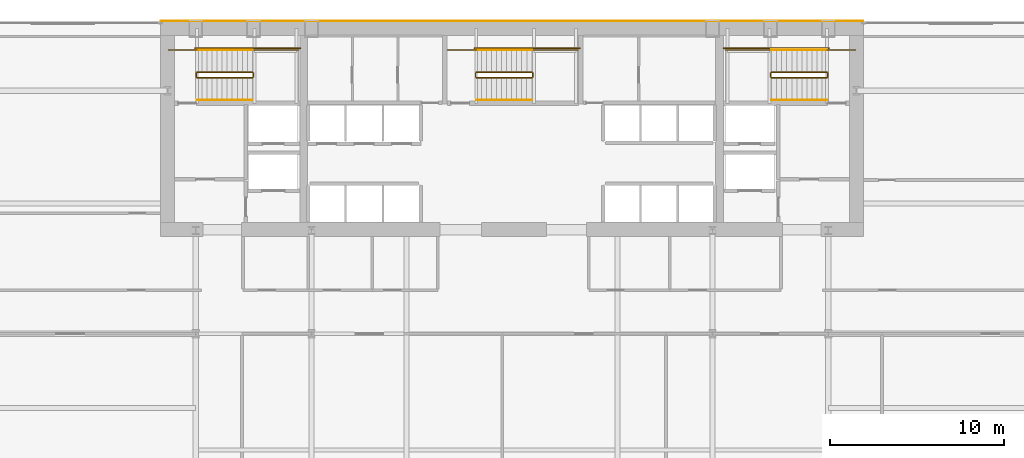
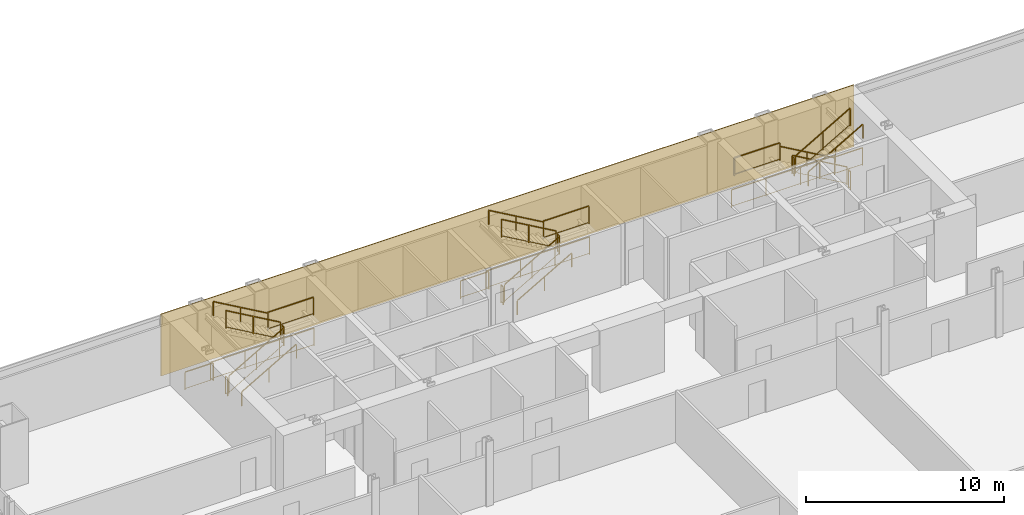
# One storey, part 32 of 32: 27 railings, 1 covering.
"""IFC4 building model written with IfcOpenShell, lengths in metres."""

from ifc_helpers import new_model, si_unit, direction, frame, origin, origin_2d, place, context, subcontext, project, spatial, polyline, rectangle, outline, extrude, material, layer, layer_set, type_object, element, save


model = new_model("IFC4")

# Units and contexts
model_context = context("Model", 3, precision=1e-05, world=origin(), true_north=direction((0.0, 1.0)))
body_context = subcontext(model_context, "Body", "Model", "MODEL_VIEW")
ifc_project = project(units=[si_unit("LENGTHUNIT", "METRE"), si_unit("AREAUNIT", "SQUARE_METRE"), si_unit("VOLUMEUNIT", "CUBIC_METRE"), si_unit("PLANEANGLEUNIT", "RADIAN"), si_unit("MASSUNIT", "GRAM", prefix="KILO")], contexts=[model_context])

# Site, building, storey
site_placement = place(None, origin())
site = spatial("IfcSite", under=ifc_project, at=site_placement, CompositionType="ELEMENT")
building_placement = place(site_placement, origin())
building = spatial("IfcBuilding", under=site, at=building_placement, Name="Khoronbel Lancet Exchange", CompositionType="ELEMENT")
storey_placement = place(building_placement, frame((0.0, 0.0, 41.800048828125)))
storey = spatial("IfcBuildingStorey", under=building, at=storey_placement, Name="L09", CompositionType="ELEMENT", Elevation=41.800048828125)

# Covering
ifc_material_1 = material(Name="Honed Egyptian Limestone & Bronze Rainscreen", Category="masonry")
ifc_layer = layer(ifc_material_1, 0.050048828125, Name="Honed Egyptian Limestone & Bronze Rainscreen")
ifc_layer_set = layer_set([ifc_layer], Name="Honed Egyptian Limestone & Bronze Rainscreen")
covering_type = type_object("IfcCoveringType", Name="COV-CLAD1", PredefinedType="CLADDING", material=ifc_layer_set)
covering_placement = place(storey_placement, origin())
element("IfcCovering", 1, at=covering_placement, inside=storey, type_object=covering_type, Name="Level L09 north rear-core stone and bronze rainscreen cladding", PredefinedType="CLADDING", context=body_context, shape_type="SweptSolid", body=[
    extrude(outline(polyline([(16.199951171875, 53.699951171875), (56.699951171875, 53.699951171875), (56.699951171875, 53.75), (16.199951171875, 53.75), (16.199951171875, 53.699951171875)])), origin(), (0.0, 0.0, 1.0), 3.820068359375),
])

# Railings
ifc_material_2 = material(Name="Painted Steel Balustrade", Category="steel")
railing_type_1 = type_object("IfcRailingType", Name="RL-STG110", PredefinedType="GUARDRAIL", material=ifc_material_2)
railing_1_placement = place(storey_placement, frame((18.300048828125, 50.449951171875, 0.16650390625)))
element("IfcRailing", 2, at=railing_1_placement, inside=storey, type_object=railing_type_1, Name="L09 ST1 stair guard 1", PredefinedType="GUARDRAIL", context=body_context, shape_type="SweptSolid", body=[
    extrude(rectangle(XDim=0.048095703125, YDim=0.048095703125, at=origin_2d()), frame((0.0, 0.0, 1.09619140625), z_axis=(0.86699087805, 0.0, 0.498324008431), x_axis=(0.0, 1.0, 0.0)), (0.0, 0.0, 1.0), 3.679443359375),
    extrude(rectangle(XDim=0.02392578125, YDim=0.02392578125, at=origin_2d()), frame((0.0, 0.0, 0.080078125), z_axis=(0.86699087805, 0.0, 0.498324008431), x_axis=(0.0, 1.0, 0.0)), (0.0, 0.0, 1.0), 3.679443359375),
    extrude(rectangle(XDim=0.0419921875, YDim=0.0419921875, at=origin_2d()), origin(), (0.0, 0.0, 1.0), 1.072021484375),
    extrude(rectangle(XDim=0.0419921875, YDim=0.0419921875, at=origin_2d()), frame((1.594970703125, 0.0, 0.916748046875)), (0.0, 0.0, 1.0), 1.072021484375),
    extrude(rectangle(XDim=0.0419921875, YDim=0.0419921875, at=origin_2d()), frame((3.18994140625, 0.0, 1.83349609375)), (0.0, 0.0, 1.0), 1.072021484375),
])
railing_2_placement = place(storey_placement, frame((21.5400390625, 50.5, 2.0)))
element("IfcRailing", 3, at=railing_2_placement, inside=storey, type_object=railing_type_1, Name="L09 ST1 stair guard 2", PredefinedType="GUARDRAIL", context=body_context, shape_type="SweptSolid", body=[
    extrude(rectangle(XDim=0.048095703125, YDim=0.048095703125, at=origin_2d()), frame((0.0, 0.0, 1.09619140625), z_axis=(0.0, 1.0, 0.0), x_axis=(-1.0, 0.0, 0.0)), (0.0, 0.0, 1.0), 0.219970703125),
    extrude(rectangle(XDim=0.02392578125, YDim=0.02392578125, at=origin_2d()), frame((0.0, 0.0, 0.080078125), z_axis=(0.0, 1.0, 0.0), x_axis=(-1.0, 0.0, 0.0)), (0.0, 0.0, 1.0), 0.219970703125),
    extrude(rectangle(XDim=0.0419921875, YDim=0.0419921875, at=origin_2d()), origin(), (0.0, 0.0, 1.0), 1.072021484375),
    extrude(rectangle(XDim=0.0419921875, YDim=0.0419921875, at=origin_2d()), frame((0.0, 0.219970703125, 0.0)), (0.0, 0.0, 1.0), 1.072021484375),
])
railing_3_placement = place(storey_placement, frame((21.489990234375, 52.050048828125, 2.0)))
element("IfcRailing", 4, at=railing_3_placement, inside=storey, type_object=railing_type_1, Name="L09 ST1 stair guard 3", PredefinedType="GUARDRAIL", context=body_context, shape_type="SweptSolid", body=[
    extrude(rectangle(XDim=0.048095703125, YDim=0.048095703125, at=origin_2d()), frame((0.0, 0.0, 1.09619140625), z_axis=(1.0, 0.0, 0.0), x_axis=(0.0, 1.0, 0.0)), (0.0, 0.0, 1.0), 2.659912109375),
    extrude(rectangle(XDim=0.02392578125, YDim=0.02392578125, at=origin_2d()), frame((0.0, 0.0, 0.080078125), z_axis=(1.0, 0.0, 0.0), x_axis=(0.0, 1.0, 0.0)), (0.0, 0.0, 1.0), 2.659912109375),
    extrude(rectangle(XDim=0.0419921875, YDim=0.0419921875, at=origin_2d()), origin(), (0.0, 0.0, 1.0), 1.072021484375),
    extrude(rectangle(XDim=0.0419921875, YDim=0.0419921875, at=origin_2d()), frame((2.659912109375, 0.0, 0.0)), (0.0, 0.0, 1.0), 1.072021484375),
])
railing_4_placement = place(storey_placement, frame((21.489990234375, 50.77001953125, 2.16650390625)))
element("IfcRailing", 5, at=railing_4_placement, inside=storey, type_object=railing_type_1, Name="L09 ST1 stair guard 4", PredefinedType="GUARDRAIL", context=body_context, shape_type="SweptSolid", body=[
    extrude(rectangle(XDim=0.048095703125, YDim=0.048095703125, at=origin_2d()), frame((0.0, 0.0, 1.09619140625), z_axis=(-0.86699087805, 0.0, 0.498324008431), x_axis=(0.0, -1.0, 0.0)), (0.0, 0.0, 1.0), 3.679443359375),
    extrude(rectangle(XDim=0.02392578125, YDim=0.02392578125, at=origin_2d()), frame((0.0, 0.0, 0.080078125), z_axis=(-0.86699087805, 0.0, 0.498324008431), x_axis=(0.0, -1.0, 0.0)), (0.0, 0.0, 1.0), 3.679443359375),
    extrude(rectangle(XDim=0.0419921875, YDim=0.0419921875, at=origin_2d()), origin(), (0.0, 0.0, 1.0), 1.072021484375),
    extrude(rectangle(XDim=0.0419921875, YDim=0.0419921875, at=origin_2d()), frame((-1.594970703125, 0.0, 0.916748046875)), (0.0, 0.0, 1.0), 1.072021484375),
    extrude(rectangle(XDim=0.0419921875, YDim=0.0419921875, at=origin_2d()), frame((-3.18994140625, 0.0, 1.83349609375)), (0.0, 0.0, 1.0), 1.072021484375),
])
railing_5_placement = place(storey_placement, frame((18.25, 50.5, 0.0)))
element("IfcRailing", 6, at=railing_5_placement, inside=storey, type_object=railing_type_1, Name="L09 ST1 stair guard 5", PredefinedType="GUARDRAIL", context=body_context, shape_type="SweptSolid", body=[
    extrude(rectangle(XDim=0.048095703125, YDim=0.048095703125, at=origin_2d()), frame((0.0, 0.0, 1.09619140625), z_axis=(0.0, 1.0, 0.0), x_axis=(-1.0, 0.0, 0.0)), (0.0, 0.0, 1.0), 0.219970703125),
    extrude(rectangle(XDim=0.02392578125, YDim=0.02392578125, at=origin_2d()), frame((0.0, 0.0, 0.080078125), z_axis=(0.0, 1.0, 0.0), x_axis=(-1.0, 0.0, 0.0)), (0.0, 0.0, 1.0), 0.219970703125),
    extrude(rectangle(XDim=0.0419921875, YDim=0.0419921875, at=origin_2d()), origin(), (0.0, 0.0, 1.0), 1.072021484375),
    extrude(rectangle(XDim=0.0419921875, YDim=0.0419921875, at=origin_2d()), frame((0.0, 0.219970703125, 0.0)), (0.0, 0.0, 1.0), 1.072021484375),
])
railing_6_placement = place(storey_placement, frame((16.64990234375, 52.050048828125, 0.0)))
element("IfcRailing", 7, at=railing_6_placement, inside=storey, type_object=railing_type_1, Name="L09 ST1 stair guard 6", PredefinedType="GUARDRAIL", context=body_context, shape_type="SweptSolid", body=[
    extrude(rectangle(XDim=0.048095703125, YDim=0.048095703125, at=origin_2d()), frame((0.0, 0.0, 1.09619140625), z_axis=(1.0, 0.0, 0.0), x_axis=(0.0, 1.0, 0.0)), (0.0, 0.0, 1.0), 1.650146484375),
    extrude(rectangle(XDim=0.02392578125, YDim=0.02392578125, at=origin_2d()), frame((0.0, 0.0, 0.080078125), z_axis=(1.0, 0.0, 0.0), x_axis=(0.0, 1.0, 0.0)), (0.0, 0.0, 1.0), 1.650146484375),
    extrude(rectangle(XDim=0.0419921875, YDim=0.0419921875, at=origin_2d()), origin(), (0.0, 0.0, 1.0), 1.072021484375),
    extrude(rectangle(XDim=0.0419921875, YDim=0.0419921875, at=origin_2d()), frame((1.650146484375, 0.0, 0.0)), (0.0, 0.0, 1.0), 1.072021484375),
])
railing_7_placement = place(storey_placement, frame((18.199951171875, 52.14990234375, 0.0)))
element("IfcRailing", 8, at=railing_7_placement, inside=storey, type_object=railing_type_1, Name="L09 ST1 stair guard 7", PredefinedType="GUARDRAIL", context=body_context, shape_type="SweptSolid", body=[
    extrude(rectangle(XDim=0.048095703125, YDim=0.048095703125, at=origin_2d()), frame((0.0, 0.0, 1.09619140625), z_axis=(1.0, 0.0, 0.0), x_axis=(0.0, 1.0, 0.0)), (0.0, 0.0, 1.0), 6.050048828125),
    extrude(rectangle(XDim=0.02392578125, YDim=0.02392578125, at=origin_2d()), frame((0.0, 0.0, 0.080078125), z_axis=(1.0, 0.0, 0.0), x_axis=(0.0, 1.0, 0.0)), (0.0, 0.0, 1.0), 6.050048828125),
    extrude(rectangle(XDim=0.0419921875, YDim=0.0419921875, at=origin_2d()), origin(), (0.0, 0.0, 1.0), 1.072021484375),
    extrude(rectangle(XDim=0.0419921875, YDim=0.0419921875, at=origin_2d()), frame((2.0166015625, 0.0, 0.0)), (0.0, 0.0, 1.0), 1.072021484375),
    extrude(rectangle(XDim=0.0419921875, YDim=0.0419921875, at=origin_2d()), frame((4.033447265625, 0.0, 0.0)), (0.0, 0.0, 1.0), 1.072021484375),
    extrude(rectangle(XDim=0.0419921875, YDim=0.0419921875, at=origin_2d()), frame((6.050048828125, 0.0, 0.0)), (0.0, 0.0, 1.0), 1.072021484375),
])
railing_8_placement = place(storey_placement, frame((54.60009765625, 50.77001953125, 0.16650390625)))
element("IfcRailing", 9, at=railing_8_placement, inside=storey, type_object=railing_type_1, Name="L09 ST2 stair guard 1", PredefinedType="GUARDRAIL", context=body_context, shape_type="SweptSolid", body=[
    extrude(rectangle(XDim=0.048095703125, YDim=0.048095703125, at=origin_2d()), frame((0.0, 0.0, 1.09619140625), z_axis=(-0.867007354286, 0.0, 0.498295341753), x_axis=(0.0, -1.0, 0.0)), (0.0, 0.0, 1.0), 3.679443359375),
    extrude(rectangle(XDim=0.02392578125, YDim=0.02392578125, at=origin_2d()), frame((0.0, 0.0, 0.080078125), z_axis=(-0.867007354286, 0.0, 0.498295341753), x_axis=(0.0, -1.0, 0.0)), (0.0, 0.0, 1.0), 3.679443359375),
    extrude(rectangle(XDim=0.0419921875, YDim=0.0419921875, at=origin_2d()), origin(), (0.0, 0.0, 1.0), 1.072021484375),
    extrude(rectangle(XDim=0.0419921875, YDim=0.0419921875, at=origin_2d()), frame((-1.59521484375, 0.0, 0.916748046875)), (0.0, 0.0, 1.0), 1.072021484375),
    extrude(rectangle(XDim=0.0419921875, YDim=0.0419921875, at=origin_2d()), frame((-3.190185546875, 0.0, 1.83349609375)), (0.0, 0.0, 1.0), 1.072021484375),
])
railing_9_placement = place(storey_placement, frame((51.360107421875, 50.719970703125, 2.0)))
element("IfcRailing", 10, at=railing_9_placement, inside=storey, type_object=railing_type_1, Name="L09 ST2 stair guard 2", PredefinedType="GUARDRAIL", context=body_context, shape_type="SweptSolid", body=[
    extrude(rectangle(XDim=0.048095703125, YDim=0.048095703125, at=origin_2d()), frame((0.0, 0.0, 1.09619140625), z_axis=(0.0, -1.0, 0.0), x_axis=(1.0, 0.0, 0.0)), (0.0, 0.0, 1.0), 0.219970703125),
    extrude(rectangle(XDim=0.02392578125, YDim=0.02392578125, at=origin_2d()), frame((0.0, 0.0, 0.080078125), z_axis=(0.0, -1.0, 0.0), x_axis=(1.0, 0.0, 0.0)), (0.0, 0.0, 1.0), 0.219970703125),
    extrude(rectangle(XDim=0.0419921875, YDim=0.0419921875, at=origin_2d()), origin(), (0.0, 0.0, 1.0), 1.072021484375),
    extrude(rectangle(XDim=0.0419921875, YDim=0.0419921875, at=origin_2d()), frame((0.0, -0.219970703125, 0.0)), (0.0, 0.0, 1.0), 1.072021484375),
])
railing_10_placement = place(storey_placement, frame((51.409912109375, 52.050048828125, 2.0)))
element("IfcRailing", 11, at=railing_10_placement, inside=storey, type_object=railing_type_1, Name="L09 ST2 stair guard 3", PredefinedType="GUARDRAIL", context=body_context, shape_type="SweptSolid", body=[
    extrude(rectangle(XDim=0.048095703125, YDim=0.048095703125, at=origin_2d()), frame((0.0, 0.0, 1.09619140625), z_axis=(-1.0, 0.0, 0.0), x_axis=(0.0, -1.0, 0.0)), (0.0, 0.0, 1.0), 2.659912109375),
    extrude(rectangle(XDim=0.02392578125, YDim=0.02392578125, at=origin_2d()), frame((0.0, 0.0, 0.080078125), z_axis=(-1.0, 0.0, 0.0), x_axis=(0.0, -1.0, 0.0)), (0.0, 0.0, 1.0), 2.659912109375),
    extrude(rectangle(XDim=0.0419921875, YDim=0.0419921875, at=origin_2d()), origin(), (0.0, 0.0, 1.0), 1.072021484375),
    extrude(rectangle(XDim=0.0419921875, YDim=0.0419921875, at=origin_2d()), frame((-2.659912109375, 0.0, 0.0)), (0.0, 0.0, 1.0), 1.072021484375),
])
railing_11_placement = place(storey_placement, frame((51.409912109375, 50.449951171875, 2.16650390625)))
element("IfcRailing", 12, at=railing_11_placement, inside=storey, type_object=railing_type_1, Name="L09 ST2 stair guard 4", PredefinedType="GUARDRAIL", context=body_context, shape_type="SweptSolid", body=[
    extrude(rectangle(XDim=0.048095703125, YDim=0.048095703125, at=origin_2d()), frame((0.0, 0.0, 1.09619140625), z_axis=(0.867007354286, 0.0, 0.498295341753), x_axis=(0.0, 1.0, 0.0)), (0.0, 0.0, 1.0), 3.679443359375),
    extrude(rectangle(XDim=0.02392578125, YDim=0.02392578125, at=origin_2d()), frame((0.0, 0.0, 0.080078125), z_axis=(0.867007354286, 0.0, 0.498295341753), x_axis=(0.0, 1.0, 0.0)), (0.0, 0.0, 1.0), 3.679443359375),
    extrude(rectangle(XDim=0.0419921875, YDim=0.0419921875, at=origin_2d()), origin(), (0.0, 0.0, 1.0), 1.072021484375),
    extrude(rectangle(XDim=0.0419921875, YDim=0.0419921875, at=origin_2d()), frame((1.59521484375, 0.0, 0.916748046875)), (0.0, 0.0, 1.0), 1.072021484375),
    extrude(rectangle(XDim=0.0419921875, YDim=0.0419921875, at=origin_2d()), frame((3.190185546875, 0.0, 1.83349609375)), (0.0, 0.0, 1.0), 1.072021484375),
])
railing_12_placement = place(storey_placement, frame((54.64990234375, 50.719970703125, 0.0)))
element("IfcRailing", 13, at=railing_12_placement, inside=storey, type_object=railing_type_1, Name="L09 ST2 stair guard 5", PredefinedType="GUARDRAIL", context=body_context, shape_type="SweptSolid", body=[
    extrude(rectangle(XDim=0.048095703125, YDim=0.048095703125, at=origin_2d()), frame((0.0, 0.0, 1.09619140625), z_axis=(0.0, -1.0, 0.0), x_axis=(1.0, 0.0, 0.0)), (0.0, 0.0, 1.0), 0.219970703125),
    extrude(rectangle(XDim=0.02392578125, YDim=0.02392578125, at=origin_2d()), frame((0.0, 0.0, 0.080078125), z_axis=(0.0, -1.0, 0.0), x_axis=(1.0, 0.0, 0.0)), (0.0, 0.0, 1.0), 0.219970703125),
    extrude(rectangle(XDim=0.0419921875, YDim=0.0419921875, at=origin_2d()), origin(), (0.0, 0.0, 1.0), 1.072021484375),
    extrude(rectangle(XDim=0.0419921875, YDim=0.0419921875, at=origin_2d()), frame((0.0, -0.219970703125, 0.0)), (0.0, 0.0, 1.0), 1.072021484375),
])
railing_13_placement = place(storey_placement, frame((56.25, 52.050048828125, 0.0)))
element("IfcRailing", 14, at=railing_13_placement, inside=storey, type_object=railing_type_1, Name="L09 ST2 stair guard 6", PredefinedType="GUARDRAIL", context=body_context, shape_type="SweptSolid", body=[
    extrude(rectangle(XDim=0.048095703125, YDim=0.048095703125, at=origin_2d()), frame((0.0, 0.0, 1.09619140625), z_axis=(-1.0, 0.0, 0.0), x_axis=(0.0, -1.0, 0.0)), (0.0, 0.0, 1.0), 1.64990234375),
    extrude(rectangle(XDim=0.02392578125, YDim=0.02392578125, at=origin_2d()), frame((0.0, 0.0, 0.080078125), z_axis=(-1.0, 0.0, 0.0), x_axis=(0.0, -1.0, 0.0)), (0.0, 0.0, 1.0), 1.64990234375),
    extrude(rectangle(XDim=0.0419921875, YDim=0.0419921875, at=origin_2d()), origin(), (0.0, 0.0, 1.0), 1.072021484375),
    extrude(rectangle(XDim=0.0419921875, YDim=0.0419921875, at=origin_2d()), frame((-1.64990234375, 0.0, 0.0)), (0.0, 0.0, 1.0), 1.072021484375),
])
railing_14_placement = place(storey_placement, frame((54.699951171875, 52.14990234375, 0.0)))
element("IfcRailing", 15, at=railing_14_placement, inside=storey, type_object=railing_type_1, Name="L09 ST2 stair guard 7", PredefinedType="GUARDRAIL", context=body_context, shape_type="SweptSolid", body=[
    extrude(rectangle(XDim=0.048095703125, YDim=0.048095703125, at=origin_2d()), frame((0.0, 0.0, 1.09619140625), z_axis=(-1.0, 0.0, 0.0), x_axis=(0.0, -1.0, 0.0)), (0.0, 0.0, 1.0), 6.050048828125),
    extrude(rectangle(XDim=0.02392578125, YDim=0.02392578125, at=origin_2d()), frame((0.0, 0.0, 0.080078125), z_axis=(-1.0, 0.0, 0.0), x_axis=(0.0, -1.0, 0.0)), (0.0, 0.0, 1.0), 6.050048828125),
    extrude(rectangle(XDim=0.0419921875, YDim=0.0419921875, at=origin_2d()), origin(), (0.0, 0.0, 1.0), 1.072021484375),
    extrude(rectangle(XDim=0.0419921875, YDim=0.0419921875, at=origin_2d()), frame((-2.0166015625, 0.0, 0.0)), (0.0, 0.0, 1.0), 1.072021484375),
    extrude(rectangle(XDim=0.0419921875, YDim=0.0419921875, at=origin_2d()), frame((-4.033447265625, 0.0, 0.0)), (0.0, 0.0, 1.0), 1.072021484375),
    extrude(rectangle(XDim=0.0419921875, YDim=0.0419921875, at=origin_2d()), frame((-6.050048828125, 0.0, 0.0)), (0.0, 0.0, 1.0), 1.072021484375),
])
railing_15_placement = place(storey_placement, frame((34.39990234375, 50.449951171875, 0.16650390625)))
element("IfcRailing", 16, at=railing_15_placement, inside=storey, type_object=railing_type_1, Name="L09 ST3 stair guard 1", PredefinedType="GUARDRAIL", context=body_context, shape_type="SweptSolid", body=[
    extrude(rectangle(XDim=0.048095703125, YDim=0.048095703125, at=origin_2d()), frame((0.0, 0.0, 1.09619140625), z_axis=(0.867007354286, 0.0, 0.498295341753), x_axis=(0.0, 1.0, 0.0)), (0.0, 0.0, 1.0), 3.679443359375),
    extrude(rectangle(XDim=0.02392578125, YDim=0.02392578125, at=origin_2d()), frame((0.0, 0.0, 0.080078125), z_axis=(0.867007354286, 0.0, 0.498295341753), x_axis=(0.0, 1.0, 0.0)), (0.0, 0.0, 1.0), 3.679443359375),
    extrude(rectangle(XDim=0.0419921875, YDim=0.0419921875, at=origin_2d()), origin(), (0.0, 0.0, 1.0), 1.072021484375),
    extrude(rectangle(XDim=0.0419921875, YDim=0.0419921875, at=origin_2d()), frame((1.59521484375, 0.0, 0.916748046875)), (0.0, 0.0, 1.0), 1.072021484375),
    extrude(rectangle(XDim=0.0419921875, YDim=0.0419921875, at=origin_2d()), frame((3.190185546875, 0.0, 1.83349609375)), (0.0, 0.0, 1.0), 1.072021484375),
])
railing_16_placement = place(storey_placement, frame((37.639892578125, 50.5, 2.0)))
element("IfcRailing", 17, at=railing_16_placement, inside=storey, type_object=railing_type_1, Name="L09 ST3 stair guard 2", PredefinedType="GUARDRAIL", context=body_context, shape_type="SweptSolid", body=[
    extrude(rectangle(XDim=0.048095703125, YDim=0.048095703125, at=origin_2d()), frame((0.0, 0.0, 1.09619140625), z_axis=(0.0, 1.0, 0.0), x_axis=(-1.0, 0.0, 0.0)), (0.0, 0.0, 1.0), 0.219970703125),
    extrude(rectangle(XDim=0.02392578125, YDim=0.02392578125, at=origin_2d()), frame((0.0, 0.0, 0.080078125), z_axis=(0.0, 1.0, 0.0), x_axis=(-1.0, 0.0, 0.0)), (0.0, 0.0, 1.0), 0.219970703125),
    extrude(rectangle(XDim=0.0419921875, YDim=0.0419921875, at=origin_2d()), origin(), (0.0, 0.0, 1.0), 1.072021484375),
    extrude(rectangle(XDim=0.0419921875, YDim=0.0419921875, at=origin_2d()), frame((0.0, 0.219970703125, 0.0)), (0.0, 0.0, 1.0), 1.072021484375),
])
railing_17_placement = place(storey_placement, frame((37.590087890625, 52.050048828125, 2.0)))
element("IfcRailing", 18, at=railing_17_placement, inside=storey, type_object=railing_type_1, Name="L09 ST3 stair guard 3", PredefinedType="GUARDRAIL", context=body_context, shape_type="SweptSolid", body=[
    extrude(rectangle(XDim=0.048095703125, YDim=0.048095703125, at=origin_2d()), frame((0.0, 0.0, 1.09619140625), z_axis=(1.0, 0.0, 0.0), x_axis=(0.0, 1.0, 0.0)), (0.0, 0.0, 1.0), 2.659912109375),
    extrude(rectangle(XDim=0.02392578125, YDim=0.02392578125, at=origin_2d()), frame((0.0, 0.0, 0.080078125), z_axis=(1.0, 0.0, 0.0), x_axis=(0.0, 1.0, 0.0)), (0.0, 0.0, 1.0), 2.659912109375),
    extrude(rectangle(XDim=0.0419921875, YDim=0.0419921875, at=origin_2d()), origin(), (0.0, 0.0, 1.0), 1.072021484375),
    extrude(rectangle(XDim=0.0419921875, YDim=0.0419921875, at=origin_2d()), frame((2.659912109375, 0.0, 0.0)), (0.0, 0.0, 1.0), 1.072021484375),
])
railing_18_placement = place(storey_placement, frame((37.590087890625, 50.77001953125, 2.16650390625)))
element("IfcRailing", 19, at=railing_18_placement, inside=storey, type_object=railing_type_1, Name="L09 ST3 stair guard 4", PredefinedType="GUARDRAIL", context=body_context, shape_type="SweptSolid", body=[
    extrude(rectangle(XDim=0.048095703125, YDim=0.048095703125, at=origin_2d()), frame((0.0, 0.0, 1.09619140625), z_axis=(-0.867007354286, 0.0, 0.498295341753), x_axis=(0.0, -1.0, 0.0)), (0.0, 0.0, 1.0), 3.679443359375),
    extrude(rectangle(XDim=0.02392578125, YDim=0.02392578125, at=origin_2d()), frame((0.0, 0.0, 0.080078125), z_axis=(-0.867007354286, 0.0, 0.498295341753), x_axis=(0.0, -1.0, 0.0)), (0.0, 0.0, 1.0), 3.679443359375),
    extrude(rectangle(XDim=0.0419921875, YDim=0.0419921875, at=origin_2d()), origin(), (0.0, 0.0, 1.0), 1.072021484375),
    extrude(rectangle(XDim=0.0419921875, YDim=0.0419921875, at=origin_2d()), frame((-1.59521484375, 0.0, 0.916748046875)), (0.0, 0.0, 1.0), 1.072021484375),
    extrude(rectangle(XDim=0.0419921875, YDim=0.0419921875, at=origin_2d()), frame((-3.190185546875, 0.0, 1.83349609375)), (0.0, 0.0, 1.0), 1.072021484375),
])
railing_19_placement = place(storey_placement, frame((34.35009765625, 50.5, 0.0)))
element("IfcRailing", 20, at=railing_19_placement, inside=storey, type_object=railing_type_1, Name="L09 ST3 stair guard 5", PredefinedType="GUARDRAIL", context=body_context, shape_type="SweptSolid", body=[
    extrude(rectangle(XDim=0.048095703125, YDim=0.048095703125, at=origin_2d()), frame((0.0, 0.0, 1.09619140625), z_axis=(0.0, 1.0, 0.0), x_axis=(-1.0, 0.0, 0.0)), (0.0, 0.0, 1.0), 0.219970703125),
    extrude(rectangle(XDim=0.02392578125, YDim=0.02392578125, at=origin_2d()), frame((0.0, 0.0, 0.080078125), z_axis=(0.0, 1.0, 0.0), x_axis=(-1.0, 0.0, 0.0)), (0.0, 0.0, 1.0), 0.219970703125),
    extrude(rectangle(XDim=0.0419921875, YDim=0.0419921875, at=origin_2d()), origin(), (0.0, 0.0, 1.0), 1.072021484375),
    extrude(rectangle(XDim=0.0419921875, YDim=0.0419921875, at=origin_2d()), frame((0.0, 0.219970703125, 0.0)), (0.0, 0.0, 1.0), 1.072021484375),
])
railing_20_placement = place(storey_placement, frame((32.75, 52.050048828125, 0.0)))
element("IfcRailing", 21, at=railing_20_placement, inside=storey, type_object=railing_type_1, Name="L09 ST3 stair guard 6", PredefinedType="GUARDRAIL", context=body_context, shape_type="SweptSolid", body=[
    extrude(rectangle(XDim=0.048095703125, YDim=0.048095703125, at=origin_2d()), frame((0.0, 0.0, 1.09619140625), z_axis=(1.0, 0.0, 0.0), x_axis=(0.0, 1.0, 0.0)), (0.0, 0.0, 1.0), 1.64990234375),
    extrude(rectangle(XDim=0.02392578125, YDim=0.02392578125, at=origin_2d()), frame((0.0, 0.0, 0.080078125), z_axis=(1.0, 0.0, 0.0), x_axis=(0.0, 1.0, 0.0)), (0.0, 0.0, 1.0), 1.64990234375),
    extrude(rectangle(XDim=0.0419921875, YDim=0.0419921875, at=origin_2d()), origin(), (0.0, 0.0, 1.0), 1.072021484375),
    extrude(rectangle(XDim=0.0419921875, YDim=0.0419921875, at=origin_2d()), frame((1.64990234375, 0.0, 0.0)), (0.0, 0.0, 1.0), 1.072021484375),
])
railing_21_placement = place(storey_placement, frame((34.300048828125, 52.14990234375, 0.0)))
element("IfcRailing", 22, at=railing_21_placement, inside=storey, type_object=railing_type_1, Name="L09 ST3 stair guard 7", PredefinedType="GUARDRAIL", context=body_context, shape_type="SweptSolid", body=[
    extrude(rectangle(XDim=0.048095703125, YDim=0.048095703125, at=origin_2d()), frame((0.0, 0.0, 1.09619140625), z_axis=(1.0, 0.0, 0.0), x_axis=(0.0, 1.0, 0.0)), (0.0, 0.0, 1.0), 6.050048828125),
    extrude(rectangle(XDim=0.02392578125, YDim=0.02392578125, at=origin_2d()), frame((0.0, 0.0, 0.080078125), z_axis=(1.0, 0.0, 0.0), x_axis=(0.0, 1.0, 0.0)), (0.0, 0.0, 1.0), 6.050048828125),
    extrude(rectangle(XDim=0.0419921875, YDim=0.0419921875, at=origin_2d()), origin(), (0.0, 0.0, 1.0), 1.072021484375),
    extrude(rectangle(XDim=0.0419921875, YDim=0.0419921875, at=origin_2d()), frame((2.0166015625, 0.0, 0.0)), (0.0, 0.0, 1.0), 1.072021484375),
    extrude(rectangle(XDim=0.0419921875, YDim=0.0419921875, at=origin_2d()), frame((4.033447265625, 0.0, 0.0)), (0.0, 0.0, 1.0), 1.072021484375),
    extrude(rectangle(XDim=0.0419921875, YDim=0.0419921875, at=origin_2d()), frame((6.050048828125, 0.0, 0.0)), (0.0, 0.0, 1.0), 1.072021484375),
])
ifc_material_3 = material(Name="Brushed Stainless Steel 316", Category="steel")
railing_type_2 = type_object("IfcRailingType", Name="RL-STH92", PredefinedType="HANDRAIL", material=ifc_material_3)
railing_22_placement = place(storey_placement, frame((18.300048828125, 49.169921875, 0.16650390625)))
element("IfcRailing", 23, at=railing_22_placement, inside=storey, type_object=railing_type_2, Name="L09 ST1 stair handrail 1", PredefinedType="HANDRAIL", context=body_context, shape_type="SweptSolid", body=[
    extrude(rectangle(XDim=0.048095703125, YDim=0.048095703125, at=origin_2d()), frame((0.0, 0.0, 0.8759765625), z_axis=(0.86699087805, 0.0, 0.498324008431), x_axis=(0.0, 1.0, 0.0)), (0.0, 0.0, 1.0), 3.679443359375),
    extrude(rectangle(XDim=0.0419921875, YDim=0.0419921875, at=origin_2d()), origin(), (0.0, 0.0, 1.0), 0.851806640625),
    extrude(rectangle(XDim=0.0419921875, YDim=0.0419921875, at=origin_2d()), frame((1.594970703125, 0.0, 0.916748046875)), (0.0, 0.0, 1.0), 0.851806640625),
    extrude(rectangle(XDim=0.0419921875, YDim=0.0419921875, at=origin_2d()), frame((3.18994140625, 0.0, 1.83349609375)), (0.0, 0.0, 1.0), 0.851806640625),
])
railing_23_placement = place(storey_placement, frame((21.489990234375, 52.050048828125, 2.16650390625)))
element("IfcRailing", 24, at=railing_23_placement, inside=storey, type_object=railing_type_2, Name="L09 ST1 stair handrail 2", PredefinedType="HANDRAIL", context=body_context, shape_type="SweptSolid", body=[
    extrude(rectangle(XDim=0.048095703125, YDim=0.048095703125, at=origin_2d()), frame((0.0, 0.0, 0.8759765625), z_axis=(-0.86699087805, 0.0, 0.498324008431), x_axis=(0.0, -1.0, 0.0)), (0.0, 0.0, 1.0), 3.679443359375),
    extrude(rectangle(XDim=0.0419921875, YDim=0.0419921875, at=origin_2d()), origin(), (0.0, 0.0, 1.0), 0.851806640625),
    extrude(rectangle(XDim=0.0419921875, YDim=0.0419921875, at=origin_2d()), frame((-1.594970703125, 0.0, 0.916748046875)), (0.0, 0.0, 1.0), 0.851806640625),
    extrude(rectangle(XDim=0.0419921875, YDim=0.0419921875, at=origin_2d()), frame((-3.18994140625, 0.0, 1.83349609375)), (0.0, 0.0, 1.0), 0.851806640625),
])
railing_24_placement = place(storey_placement, frame((54.60009765625, 52.050048828125, 0.16650390625)))
element("IfcRailing", 25, at=railing_24_placement, inside=storey, type_object=railing_type_2, Name="L09 ST2 stair handrail 1", PredefinedType="HANDRAIL", context=body_context, shape_type="SweptSolid", body=[
    extrude(rectangle(XDim=0.048095703125, YDim=0.048095703125, at=origin_2d()), frame((0.0, 0.0, 0.8759765625), z_axis=(-0.867007354286, 0.0, 0.498295341753), x_axis=(0.0, -1.0, 0.0)), (0.0, 0.0, 1.0), 3.679443359375),
    extrude(rectangle(XDim=0.0419921875, YDim=0.0419921875, at=origin_2d()), origin(), (0.0, 0.0, 1.0), 0.851806640625),
    extrude(rectangle(XDim=0.0419921875, YDim=0.0419921875, at=origin_2d()), frame((-1.59521484375, 0.0, 0.916748046875)), (0.0, 0.0, 1.0), 0.851806640625),
    extrude(rectangle(XDim=0.0419921875, YDim=0.0419921875, at=origin_2d()), frame((-3.190185546875, 0.0, 1.83349609375)), (0.0, 0.0, 1.0), 0.851806640625),
])
for number, where, name in (
    (26, (51.409912109375, 49.169921875, 2.16650390625), "L09 ST2 stair handrail 2"),
    (27, (34.39990234375, 49.169921875, 0.16650390625), "L09 ST3 stair handrail 1"),
):
    element("IfcRailing", number, at=place(storey_placement, frame(where)), inside=storey, type_object=railing_type_2, Name=name, PredefinedType="HANDRAIL", context=body_context, shape_type="SweptSolid", body=[
        extrude(rectangle(XDim=0.048095703125, YDim=0.048095703125, at=origin_2d()), frame((0.0, 0.0, 0.8759765625), z_axis=(0.867007354286, 0.0, 0.498295341753), x_axis=(0.0, 1.0, 0.0)), (0.0, 0.0, 1.0), 3.679443359375),
        extrude(rectangle(XDim=0.0419921875, YDim=0.0419921875, at=origin_2d()), origin(), (0.0, 0.0, 1.0), 0.851806640625),
        extrude(rectangle(XDim=0.0419921875, YDim=0.0419921875, at=origin_2d()), frame((1.59521484375, 0.0, 0.916748046875)), (0.0, 0.0, 1.0), 0.851806640625),
        extrude(rectangle(XDim=0.0419921875, YDim=0.0419921875, at=origin_2d()), frame((3.190185546875, 0.0, 1.83349609375)), (0.0, 0.0, 1.0), 0.851806640625),
    ])
railing_25_placement = place(storey_placement, frame((37.590087890625, 52.050048828125, 2.16650390625)))
element("IfcRailing", 28, at=railing_25_placement, inside=storey, type_object=railing_type_2, Name="L09 ST3 stair handrail 2", PredefinedType="HANDRAIL", context=body_context, shape_type="SweptSolid", body=[
    extrude(rectangle(XDim=0.048095703125, YDim=0.048095703125, at=origin_2d()), frame((0.0, 0.0, 0.8759765625), z_axis=(-0.867007354286, 0.0, 0.498295341753), x_axis=(0.0, -1.0, 0.0)), (0.0, 0.0, 1.0), 3.679443359375),
    extrude(rectangle(XDim=0.0419921875, YDim=0.0419921875, at=origin_2d()), origin(), (0.0, 0.0, 1.0), 0.851806640625),
    extrude(rectangle(XDim=0.0419921875, YDim=0.0419921875, at=origin_2d()), frame((-1.59521484375, 0.0, 0.916748046875)), (0.0, 0.0, 1.0), 0.851806640625),
    extrude(rectangle(XDim=0.0419921875, YDim=0.0419921875, at=origin_2d()), frame((-3.190185546875, 0.0, 1.83349609375)), (0.0, 0.0, 1.0), 0.851806640625),
])

save(model, "model.ifc")
